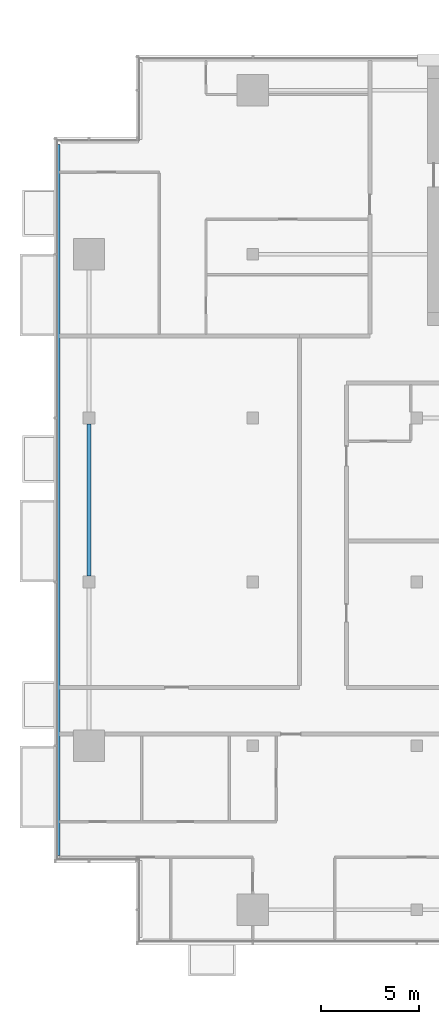
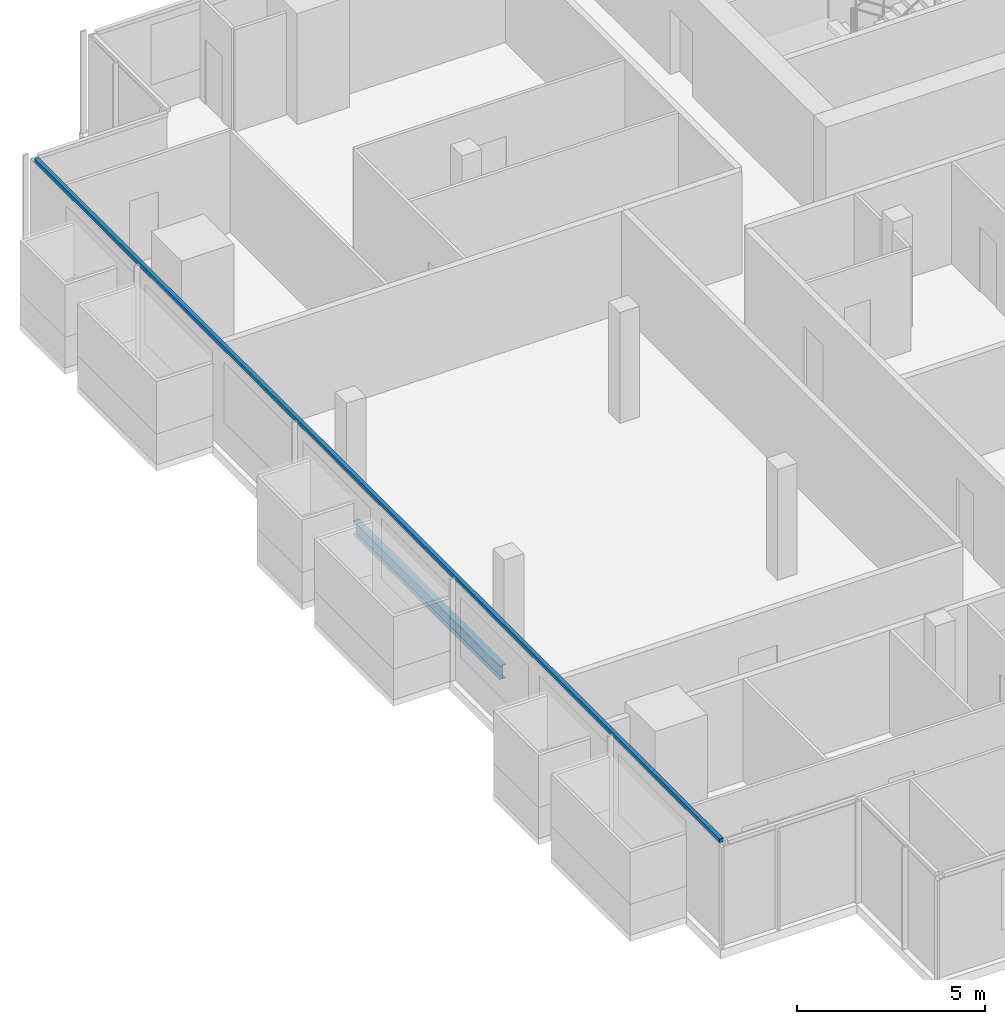
# One storey, part 3 of 27: 1 beam, 1 member, 1 element without a shape of its own.
"""IFC4 building model written with IfcOpenShell, lengths in metres."""

from ifc_helpers import new_model, si_unit, direction, frame, origin, origin_2d, place, context, subcontext, project, spatial, rectangle, i_section, extrude, material, material_profile, profile_set, type_object, element, aggregate, save


model = new_model("IFC4")

# Units and contexts
model_context = context("Model", 3, precision=1e-05, world=origin(), true_north=direction((0.0, 1.0)))
body_context = subcontext(model_context, "Body", "Model", "MODEL_VIEW")
ifc_project = project(units=[si_unit("LENGTHUNIT", "METRE"), si_unit("AREAUNIT", "SQUARE_METRE"), si_unit("VOLUMEUNIT", "CUBIC_METRE"), si_unit("PLANEANGLEUNIT", "RADIAN"), si_unit("MASSUNIT", "GRAM", prefix="KILO")], contexts=[model_context])

# Site, building, storey
site_placement = place(None, origin())
site = spatial("IfcSite", under=ifc_project, at=site_placement, CompositionType="ELEMENT")
building_placement = place(site_placement, origin())
building = spatial("IfcBuilding", under=site, at=building_placement, Name="Saffron Gate Tower", CompositionType="ELEMENT")
storey_placement = place(building_placement, frame((0.0, 0.0, 209.10009765625)))
storey = spatial("IfcBuildingStorey", under=building, at=storey_placement, Name="L50", CompositionType="ELEMENT", Elevation=209.10009765625)

# Beam
ifc_material_1 = material(Name="Structural steel S355", Category="steel")
ifc_material_profile_1 = material_profile(ifc_material_1, i_section(OverallWidth=0.18994140625, OverallDepth=0.449951171875, WebThickness=0.009521484375, FlangeThickness=0.0146484375, FilletRadius=0.02099609375, at=origin_2d()))
ifc_profile_set_1 = profile_set([ifc_material_profile_1], Name="Structural steel S355")
beam_type = type_object("IfcBeamType", Name="B7 IPE 450", PredefinedType="SPANDREL", material=ifc_profile_set_1)
beam_placement = place(storey_placement, frame((49.800048828125, 48.89990234375, -0.505126953125), z_axis=(0.0, 1.0, 0.0), x_axis=(-1.0, 0.0, 0.0)))
element("IfcBeam", 1, at=beam_placement, inside=storey, type_object=beam_type, Name="B7 SPANDREL BEAM", PredefinedType="SPANDREL", context=body_context, shape_type="SweptSolid", body=[
    extrude(i_section(OverallWidth=0.18994140625, OverallDepth=0.449951171875, WebThickness=0.009521484375, FlangeThickness=0.0146484375, FilletRadius=0.02099609375, at=origin_2d()), origin(), (0.0, 0.0, 1.0), 7.800048828125),
])

# Curtain wall, member
ifc_material_2 = material(Name="Aluminium, bronze anodised", Category="aluminium")
curtain_wall_type = type_object("IfcCurtainWallType", Name="CWS2 curtain wall side facades", PredefinedType="NOTDEFINED", material=ifc_material_2)
curtain_wall_placement = place(storey_placement, origin())
curtain_wall = element("IfcCurtainWall", 2, at=curtain_wall_placement, inside=storey, type_object=curtain_wall_type, Name="CWS2 run 10", PredefinedType="NOTDEFINED")
ifc_material_profile_2 = material_profile(ifc_material_2, rectangle(XDim=0.1201171875, YDim=0.1201171875, at=origin_2d()))
ifc_profile_set_2 = profile_set([ifc_material_profile_2], Name="Aluminium, bronze anodised")
member_type = type_object("IfcMemberType", Name="CWS2 head transom", PredefinedType="USERDEFINED", material=ifc_profile_set_2)
member_placement = place(storey_placement, frame((48.248046875, 71.031982421875, 3.260009765625), z_axis=(0.0, -1.0, 0.0), x_axis=(1.0, 0.0, 0.0)))
member = element("IfcMember", 3, at=member_placement, type_object=member_type, Name="CWS2 head transom", ObjectType="TRANSOM", PredefinedType="USERDEFINED", context=body_context, shape_type="SweptSolid", body=[
    extrude(rectangle(XDim=0.1201171875, YDim=0.1201171875, at=origin_2d()), origin(), (0.0, 0.0, 1.0), 36.4638671875),
])
aggregate(curtain_wall, [member])

save(model, "model.ifc")
